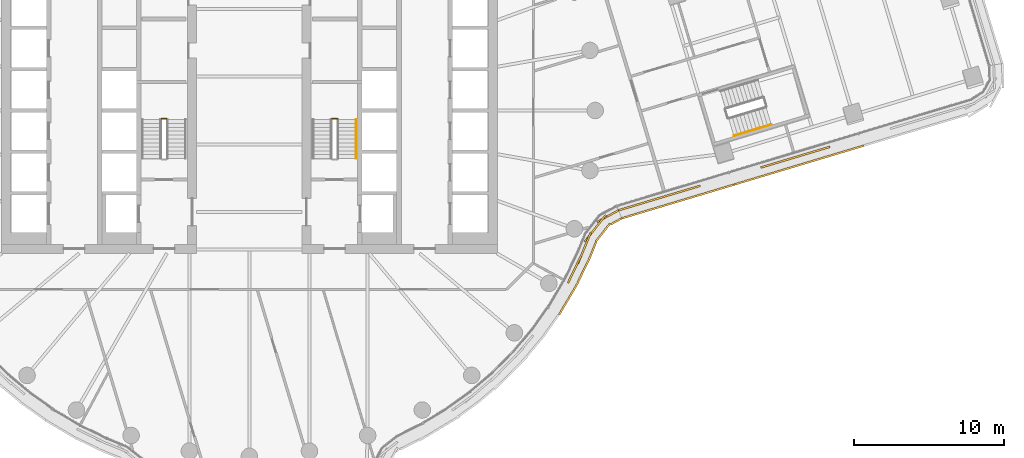
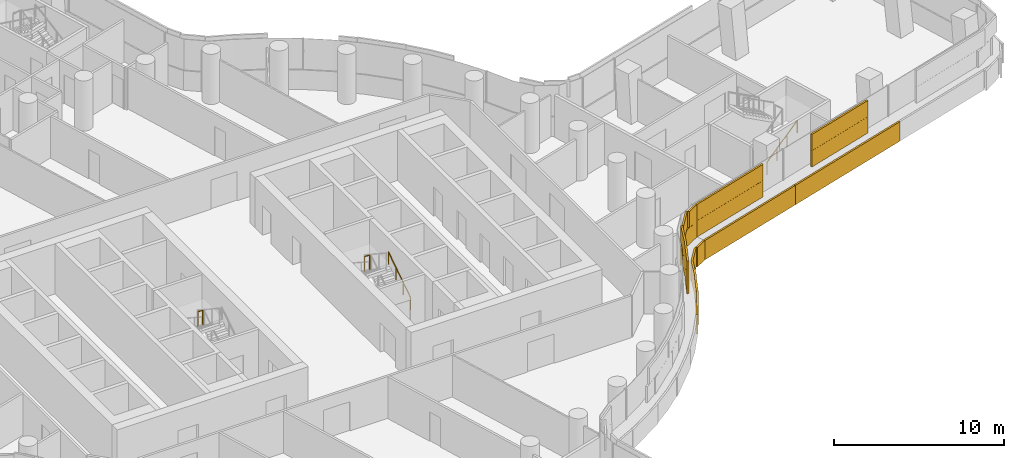
# One storey, part 28 of 32: 4 railings, 3 coverings.
"""IFC4 building model written with IfcOpenShell, lengths in metres."""

from ifc_helpers import new_model, si_unit, direction, frame, origin, origin_2d, place, context, subcontext, project, spatial, rectangle, circle, extrude, material, layer, layer_set, type_object, element, save


model = new_model("IFC4")

# Units and contexts
model_context = context("Model", 3, precision=1e-05, world=origin(), true_north=direction((0.0, 1.0)))
body_context = subcontext(model_context, "Body", "Model", "MODEL_VIEW")
ifc_project = project(units=[si_unit("LENGTHUNIT", "METRE"), si_unit("AREAUNIT", "SQUARE_METRE"), si_unit("VOLUMEUNIT", "CUBIC_METRE"), si_unit("PLANEANGLEUNIT", "RADIAN"), si_unit("MASSUNIT", "GRAM", prefix="KILO")], contexts=[model_context])

# Site, building, storey
site_placement = place(None, origin())
site = spatial("IfcSite", under=ifc_project, at=site_placement, CompositionType="ELEMENT")
building_placement = place(site_placement, origin())
building = spatial("IfcBuilding", under=site, at=building_placement, Name="Tamarind Cross Interchange Tower", CompositionType="ELEMENT")
storey_placement = place(building_placement, frame((0.0, 0.0, 94.75)))
storey = spatial("IfcBuildingStorey", under=building, at=storey_placement, Name="L22", CompositionType="ELEMENT", Elevation=94.75)

# Railings
ifc_material_1 = material(Name="Stair guard")
railing_type_1 = type_object("IfcRailingType", Name="Stair guard", PredefinedType="GUARDRAIL", material=ifc_material_1)
for number, where, name in (
    (1, (-5.5, -0.550048828125, 1.875), "L22 ST1 stair guard 2"),
    (2, (5.85009765625, -0.550048828125, 1.875), "L22 ST2 stair guard 2"),
):
    element("IfcRailing", number, at=place(storey_placement, frame(where)), inside=storey, type_object=railing_type_1, Name=name, PredefinedType="GUARDRAIL", context=body_context, shape_type="SweptSolid", body=[
        extrude(circle(Radius=0.02392578125, at=origin_2d()), frame((0.0, 0.0, 1.076171875), z_axis=(-1.0, 0.0, 0.0), x_axis=(0.0, -1.0, 0.0)), (0.0, 0.0, 1.0), 0.35009765625),
        extrude(circle(Radius=0.02099609375, at=origin_2d()), origin(), (0.0, 0.0, 1.0), 1.052001953125),
        extrude(circle(Radius=0.02099609375, at=origin_2d()), frame((-0.35009765625, 0.0, 0.0)), (0.0, 0.0, 1.0), 1.052001953125),
    ])
ifc_material_2 = material(Name="Stair handrail")
railing_type_2 = type_object("IfcRailingType", Name="Stair handrail", PredefinedType="HANDRAIL", material=ifc_material_2)
railing_1_placement = place(storey_placement, frame((7.10009765625, -3.199951171875, 0.17041015625)))
element("IfcRailing", 3, at=railing_1_placement, inside=storey, type_object=railing_type_2, Name="L22 ST2 stair handrail 1", PredefinedType="HANDRAIL", context=body_context, shape_type="SweptSolid", body=[
    extrude(circle(Radius=0.02392578125, at=origin_2d()), frame((0.0, 0.0, 0.8759765625), z_axis=(0.0, 0.836278606002, 0.548304744775), x_axis=(-1.0, 0.0, 0.0)), (0.0, 0.0, 1.0), 3.10888671875),
    extrude(circle(Radius=0.02099609375, at=origin_2d()), origin(), (0.0, 0.0, 1.0), 0.851806640625),
    extrude(circle(Radius=0.02099609375, at=origin_2d()), frame((0.0, 0.86669921875, 0.568115234375)), (0.0, 0.0, 1.0), 0.851806640625),
    extrude(circle(Radius=0.02099609375, at=origin_2d()), frame((0.0, 1.733154296875, 1.136474609375)), (0.0, 0.0, 1.0), 0.851806640625),
    extrude(circle(Radius=0.02099609375, at=origin_2d()), frame((0.0, 2.599853515625, 1.70458984375)), (0.0, 0.0, 1.0), 0.851806640625),
])
railing_2_placement = place(storey_placement, frame((32.2158203125, -1.6826171875, 0.17041015625)))
element("IfcRailing", 4, at=railing_2_placement, inside=storey, type_object=railing_type_2, Name="L22 ST3 stair handrail 1", PredefinedType="HANDRAIL", context=body_context, shape_type="SweptSolid", body=[
    extrude(circle(Radius=0.02392578125, at=origin_2d()), frame((0.0, 0.0, 0.8759765625), z_axis=(0.800938660698, 0.24054075083, 0.548304120894), x_axis=(-0.287632173595, 0.957740952822, 0.0)), (0.0, 0.0, 1.0), 3.10888671875),
    extrude(circle(Radius=0.02099609375, at=origin_2d()), origin(), (0.0, 0.0, 1.0), 0.851806640625),
    extrude(circle(Radius=0.02099609375, at=origin_2d()), frame((0.830078125, 0.249267578125, 0.568115234375)), (0.0, 0.0, 1.0), 0.851806640625),
    extrude(circle(Radius=0.02099609375, at=origin_2d()), frame((1.659912109375, 0.49853515625, 1.136474609375)), (0.0, 0.0, 1.0), 0.851806640625),
    extrude(circle(Radius=0.02099609375, at=origin_2d()), frame((2.489990234375, 0.747802734375, 1.70458984375)), (0.0, 0.0, 1.0), 0.851806640625),
])

# Coverings
ifc_material_3 = material(Name="Terracotta", Category="masonry")
ifc_layer = layer(ifc_material_3, 0.1201171875)
ifc_layer_set = layer_set([ifc_layer], Name="Terracotta")
covering_type = type_object("IfcCoveringType", Name="Terracotta baguette screen unit", PredefinedType="MOLDING", material=ifc_layer_set)
covering_1_placement = place(storey_placement, origin())
element("IfcCovering", 5, at=covering_1_placement, inside=storey, type_object=covering_type, Name="SCR-L22-10-01", PredefinedType="MOLDING", context=body_context, shape_type="SweptSolid", body=[
    extrude(rectangle(XDim=1.45361328125, YDim=0.1201171875, at=origin_2d()), frame((21.50341796875, -10.8115234375, 1.404052734375), z_axis=(0.0, 0.0, 1.0), x_axis=(0.435326231914, 0.900272776334, 0.0)), (0.0, 0.0, 1.0), 1.1669921875),
    extrude(rectangle(XDim=1.52001953125, YDim=0.1201171875, at=origin_2d()), frame((22.138427734375, -9.48388671875, 1.404052734375), z_axis=(0.0, 0.0, 1.0), x_axis=(0.38076011081, 0.924673854944, 0.0)), (0.0, 0.0, 1.0), 1.1669921875),
    extrude(rectangle(XDim=1.52001953125, YDim=0.1201171875, at=origin_2d()), frame((22.767333984375, -8.130859375, 1.404052734375), z_axis=(0.0, 0.0, 1.0), x_axis=(0.619379353008, 0.785091852631, 0.0)), (0.0, 0.0, 1.0), 1.1669921875),
    extrude(rectangle(XDim=1.52001953125, YDim=0.1201171875, at=origin_2d()), frame((23.78173828125, -7.054443359375, 1.404052734375), z_axis=(0.0, 0.0, 1.0), x_axis=(0.878634345163, 0.47749522249, 0.0)), (0.0, 0.0, 1.0), 1.1669921875),
    extrude(rectangle(XDim=0.134521484375, YDim=0.1201171875, at=origin_2d()), frame((24.49560546875, -6.666748046875, 1.404052734375), z_axis=(0.0, 0.0, 1.0), x_axis=(0.878634345163, 0.47749522249, 0.0)), (0.0, 0.0, 1.0), 1.1669921875),
    extrude(rectangle(XDim=0.70361328125, YDim=0.1201171875, at=origin_2d()), frame((21.340087890625, -11.149169921875, 2.5791015625), z_axis=(0.0, 0.0, 1.0), x_axis=(0.435326231914, 0.900272776334, 0.0)), (0.0, 0.0, 1.0), 1.1669921875),
    extrude(rectangle(XDim=1.52001953125, YDim=0.1201171875, at=origin_2d()), frame((21.817626953125, -10.161865234375, 2.5791015625), z_axis=(0.0, 0.0, 1.0), x_axis=(0.435326231914, 0.900272776334, 0.0)), (0.0, 0.0, 1.0), 1.1669921875),
    extrude(rectangle(XDim=1.52001953125, YDim=0.1201171875, at=origin_2d()), frame((22.423828125, -8.79052734375, 2.5791015625), z_axis=(0.0, 0.0, 1.0), x_axis=(0.38076011081, 0.924673854944, 0.0)), (0.0, 0.0, 1.0), 1.1669921875),
    extrude(rectangle(XDim=1.52001953125, YDim=0.1201171875, at=origin_2d()), frame((23.231689453125, -7.5419921875, 2.5791015625), z_axis=(0.0, 0.0, 1.0), x_axis=(0.619379353008, 0.785091852631, 0.0)), (0.0, 0.0, 1.0), 1.1669921875),
    extrude(rectangle(XDim=0.884521484375, YDim=0.1201171875, at=origin_2d()), frame((24.166015625, -6.845703125, 2.5791015625), z_axis=(0.0, 0.0, 1.0), x_axis=(0.878634345163, 0.47749522249, 0.0)), (0.0, 0.0, 1.0), 1.1669921875),
    extrude(rectangle(XDim=0.977294921875, YDim=0.1201171875, at=origin_2d()), frame((20.8427734375, -13.161865234375, 0.00390625), z_axis=(0.0, 0.0, 1.0), x_axis=(0.508183308752, 0.861248933065, 0.0)), (0.0, 0.0, 1.0), 1.39208984375),
    extrude(rectangle(XDim=1.52001953125, YDim=0.1201171875, at=origin_2d()), frame((21.467041015625, -12.103759765625, 0.00390625), z_axis=(0.0, 0.0, 1.0), x_axis=(0.508183308752, 0.861248933065, 0.0)), (0.0, 0.0, 1.0), 1.39208984375),
    extrude(rectangle(XDim=1.52001953125, YDim=0.1201171875, at=origin_2d()), frame((22.158935546875, -10.774169921875, 0.00390625), z_axis=(0.0, 0.0, 1.0), x_axis=(0.435326231914, 0.900272776334, 0.0)), (0.0, 0.0, 1.0), 1.39208984375),
    extrude(rectangle(XDim=1.52001953125, YDim=0.1201171875, at=origin_2d()), frame((22.788330078125, -9.4130859375, 0.00390625), z_axis=(0.0, 0.0, 1.0), x_axis=(0.38076011081, 0.924673854944, 0.0)), (0.0, 0.0, 1.0), 1.39208984375),
    extrude(rectangle(XDim=1.52001953125, YDim=0.1201171875, at=origin_2d()), frame((23.510986328125, -8.11474609375, 0.00390625), z_axis=(0.0, 0.0, 1.0), x_axis=(0.619379353008, 0.785091852631, 0.0)), (0.0, 0.0, 1.0), 1.39208984375),
    extrude(rectangle(XDim=0.8662109375, YDim=0.1201171875, at=origin_2d()), frame((24.3916015625, -7.37646484375, 0.00390625), z_axis=(0.0, 0.0, 1.0), x_axis=(0.878634345163, 0.47749522249, 0.0)), (0.0, 0.0, 1.0), 1.39208984375),
])
covering_2_placement = place(storey_placement, origin())
element("IfcCovering", 6, at=covering_2_placement, inside=storey, type_object=covering_type, Name="SCR-L22-11-00", PredefinedType="MOLDING", context=body_context, shape_type="SweptSolid", body=[
    extrude(rectangle(XDim=1.510009765625, YDim=0.1201171875, at=origin_2d()), frame((25.2685546875, -6.421142578125, 1.404052734375), z_axis=(0.0, 0.0, 1.0), x_axis=(0.957738195167, 0.287641355717, 0.0)), (0.0, 0.0, 1.0), 1.1669921875),
    extrude(rectangle(XDim=1.52001953125, YDim=0.1201171875, at=origin_2d()), frame((26.705078125, -5.98974609375, 1.404052734375), z_axis=(0.0, 0.0, 1.0), x_axis=(0.957738195167, 0.287641355717, 0.0)), (0.0, 0.0, 1.0), 1.1669921875),
    extrude(rectangle(XDim=1.52001953125, YDim=0.1201171875, at=origin_2d()), frame((28.141845703125, -5.558349609375, 1.404052734375), z_axis=(0.0, 0.0, 1.0), x_axis=(0.957738195167, 0.287641355717, 0.0)), (0.0, 0.0, 1.0), 1.1669921875),
    extrude(rectangle(XDim=1.186767578125, YDim=0.1201171875, at=origin_2d()), frame((29.423583984375, -5.17333984375, 1.404052734375), z_axis=(0.0, 0.0, 1.0), x_axis=(0.957738195167, 0.287641355717, 0.0)), (0.0, 0.0, 1.0), 1.1669921875),
    extrude(rectangle(XDim=0.760009765625, YDim=0.1201171875, at=origin_2d()), frame((24.909423828125, -6.529052734375, 2.5791015625), z_axis=(0.0, 0.0, 1.0), x_axis=(0.957738195167, 0.287641355717, 0.0)), (0.0, 0.0, 1.0), 1.1669921875),
    extrude(rectangle(XDim=1.52001953125, YDim=0.1201171875, at=origin_2d()), frame((25.98681640625, -6.20556640625, 2.5791015625), z_axis=(0.0, 0.0, 1.0), x_axis=(0.957738195167, 0.287641355717, 0.0)), (0.0, 0.0, 1.0), 1.1669921875),
    extrude(rectangle(XDim=1.52001953125, YDim=0.1201171875, at=origin_2d()), frame((27.42333984375, -5.77392578125, 2.5791015625), z_axis=(0.0, 0.0, 1.0), x_axis=(0.957738195167, 0.287641355717, 0.0)), (0.0, 0.0, 1.0), 1.1669921875),
    extrude(rectangle(XDim=1.52001953125, YDim=0.1201171875, at=origin_2d()), frame((28.860107421875, -5.342529296875, 2.5791015625), z_axis=(0.0, 0.0, 1.0), x_axis=(0.957738195167, 0.287641355717, 0.0)), (0.0, 0.0, 1.0), 1.1669921875),
    extrude(rectangle(XDim=0.436767578125, YDim=0.1201171875, at=origin_2d()), frame((29.78271484375, -5.0654296875, 2.5791015625), z_axis=(0.0, 0.0, 1.0), x_axis=(0.957738195167, 0.287641355717, 0.0)), (0.0, 0.0, 1.0), 1.1669921875),
    extrude(rectangle(XDim=1.510009765625, YDim=0.1201171875, at=origin_2d()), frame((25.495361328125, -6.952392578125, 0.00390625), z_axis=(0.0, 0.0, 1.0), x_axis=(0.957738195167, 0.287641355717, 0.0)), (0.0, 0.0, 1.0), 1.39208984375),
    extrude(rectangle(XDim=1.52001953125, YDim=0.1201171875, at=origin_2d()), frame((26.927001953125, -6.5224609375, 0.00390625), z_axis=(0.0, 0.0, 1.0), x_axis=(0.957738195167, 0.287641355717, 0.0)), (0.0, 0.0, 1.0), 1.39208984375),
    extrude(rectangle(XDim=1.52001953125, YDim=0.1201171875, at=origin_2d()), frame((28.36376953125, -6.091064453125, 0.00390625), z_axis=(0.0, 0.0, 1.0), x_axis=(0.957738195167, 0.287641355717, 0.0)), (0.0, 0.0, 1.0), 1.39208984375),
    extrude(rectangle(XDim=1.52001953125, YDim=0.1201171875, at=origin_2d()), frame((29.80029296875, -5.659423828125, 0.00390625), z_axis=(0.0, 0.0, 1.0), x_axis=(0.957738195167, 0.287641355717, 0.0)), (0.0, 0.0, 1.0), 1.39208984375),
    extrude(rectangle(XDim=1.52001953125, YDim=0.1201171875, at=origin_2d()), frame((31.23681640625, -5.22802734375, 0.00390625), z_axis=(0.0, 0.0, 1.0), x_axis=(0.957738195167, 0.287641355717, 0.0)), (0.0, 0.0, 1.0), 1.39208984375),
    extrude(rectangle(XDim=0.291748046875, YDim=0.1201171875, at=origin_2d()), frame((32.08544921875, -4.97314453125, 0.00390625), z_axis=(0.0, 0.0, 1.0), x_axis=(0.957738195167, 0.287641355717, 0.0)), (0.0, 0.0, 1.0), 1.39208984375),
])
covering_3_placement = place(storey_placement, origin())
element("IfcCovering", 7, at=covering_3_placement, inside=storey, type_object=covering_type, Name="SCR-L22-11-01", PredefinedType="MOLDING", context=body_context, shape_type="SweptSolid", body=[
    extrude(rectangle(XDim=0.63330078125, YDim=0.1201171875, at=origin_2d()), frame((34.30810546875, -3.706298828125, 1.404052734375), z_axis=(0.0, 0.0, 1.0), x_axis=(0.957738195167, 0.287641355717, 0.0)), (0.0, 0.0, 1.0), 1.1669921875),
    extrude(rectangle(XDim=1.52001953125, YDim=0.1201171875, at=origin_2d()), frame((35.32470703125, -3.40087890625, 1.404052734375), z_axis=(0.0, 0.0, 1.0), x_axis=(0.957738195167, 0.287641355717, 0.0)), (0.0, 0.0, 1.0), 1.1669921875),
    extrude(rectangle(XDim=1.52001953125, YDim=0.1201171875, at=origin_2d()), frame((36.761474609375, -2.969482421875, 1.404052734375), z_axis=(0.0, 0.0, 1.0), x_axis=(0.957738195167, 0.287641355717, 0.0)), (0.0, 0.0, 1.0), 1.1669921875),
    extrude(rectangle(XDim=1.187744140625, YDim=0.1201171875, at=origin_2d()), frame((38.043701171875, -2.58447265625, 1.404052734375), z_axis=(0.0, 0.0, 1.0), x_axis=(0.957738195167, 0.287641355717, 0.0)), (0.0, 0.0, 1.0), 1.1669921875),
    extrude(rectangle(XDim=1.38330078125, YDim=0.1201171875, at=origin_2d()), frame((34.667236328125, -3.598388671875, 2.5791015625), z_axis=(0.0, 0.0, 1.0), x_axis=(0.957738195167, 0.287641355717, 0.0)), (0.0, 0.0, 1.0), 1.1669921875),
    extrude(rectangle(XDim=1.52001953125, YDim=0.1201171875, at=origin_2d()), frame((36.04296875, -3.185302734375, 2.5791015625), z_axis=(0.0, 0.0, 1.0), x_axis=(0.957738195167, 0.287641355717, 0.0)), (0.0, 0.0, 1.0), 1.1669921875),
    extrude(rectangle(XDim=1.52001953125, YDim=0.1201171875, at=origin_2d()), frame((37.479736328125, -2.753662109375, 2.5791015625), z_axis=(0.0, 0.0, 1.0), x_axis=(0.957738195167, 0.287641355717, 0.0)), (0.0, 0.0, 1.0), 1.1669921875),
    extrude(rectangle(XDim=0.437744140625, YDim=0.1201171875, at=origin_2d()), frame((38.40283203125, -2.4765625, 2.5791015625), z_axis=(0.0, 0.0, 1.0), x_axis=(0.957738195167, 0.287641355717, 0.0)), (0.0, 0.0, 1.0), 1.1669921875),
    extrude(rectangle(XDim=1.228271484375, YDim=0.1201171875, at=origin_2d()), frame((32.813232421875, -4.754638671875, 0.00390625), z_axis=(0.0, 0.0, 1.0), x_axis=(0.957738195167, 0.287641355717, 0.0)), (0.0, 0.0, 1.0), 1.39208984375),
    extrude(rectangle(XDim=1.52001953125, YDim=0.1201171875, at=origin_2d()), frame((34.110107421875, -4.364990234375, 0.00390625), z_axis=(0.0, 0.0, 1.0), x_axis=(0.957738195167, 0.287641355717, 0.0)), (0.0, 0.0, 1.0), 1.39208984375),
    extrude(rectangle(XDim=1.52001953125, YDim=0.1201171875, at=origin_2d()), frame((35.546630859375, -3.93359375, 0.00390625), z_axis=(0.0, 0.0, 1.0), x_axis=(0.957738195167, 0.287641355717, 0.0)), (0.0, 0.0, 1.0), 1.39208984375),
    extrude(rectangle(XDim=1.52001953125, YDim=0.1201171875, at=origin_2d()), frame((36.9833984375, -3.502197265625, 0.00390625), z_axis=(0.0, 0.0, 1.0), x_axis=(0.957738195167, 0.287641355717, 0.0)), (0.0, 0.0, 1.0), 1.39208984375),
    extrude(rectangle(XDim=1.52001953125, YDim=0.1201171875, at=origin_2d()), frame((38.419921875, -3.07080078125, 0.00390625), z_axis=(0.0, 0.0, 1.0), x_axis=(0.957738195167, 0.287641355717, 0.0)), (0.0, 0.0, 1.0), 1.39208984375),
    extrude(rectangle(XDim=1.52001953125, YDim=0.1201171875, at=origin_2d()), frame((39.8564453125, -2.63916015625, 0.00390625), z_axis=(0.0, 0.0, 1.0), x_axis=(0.957738195167, 0.287641355717, 0.0)), (0.0, 0.0, 1.0), 1.39208984375),
    extrude(rectangle(XDim=0.298828125, YDim=0.1201171875, at=origin_2d()), frame((40.708251953125, -2.383544921875, 0.00390625), z_axis=(0.0, 0.0, 1.0), x_axis=(0.957738195167, 0.287641355717, 0.0)), (0.0, 0.0, 1.0), 1.39208984375),
])

save(model, "model.ifc")
